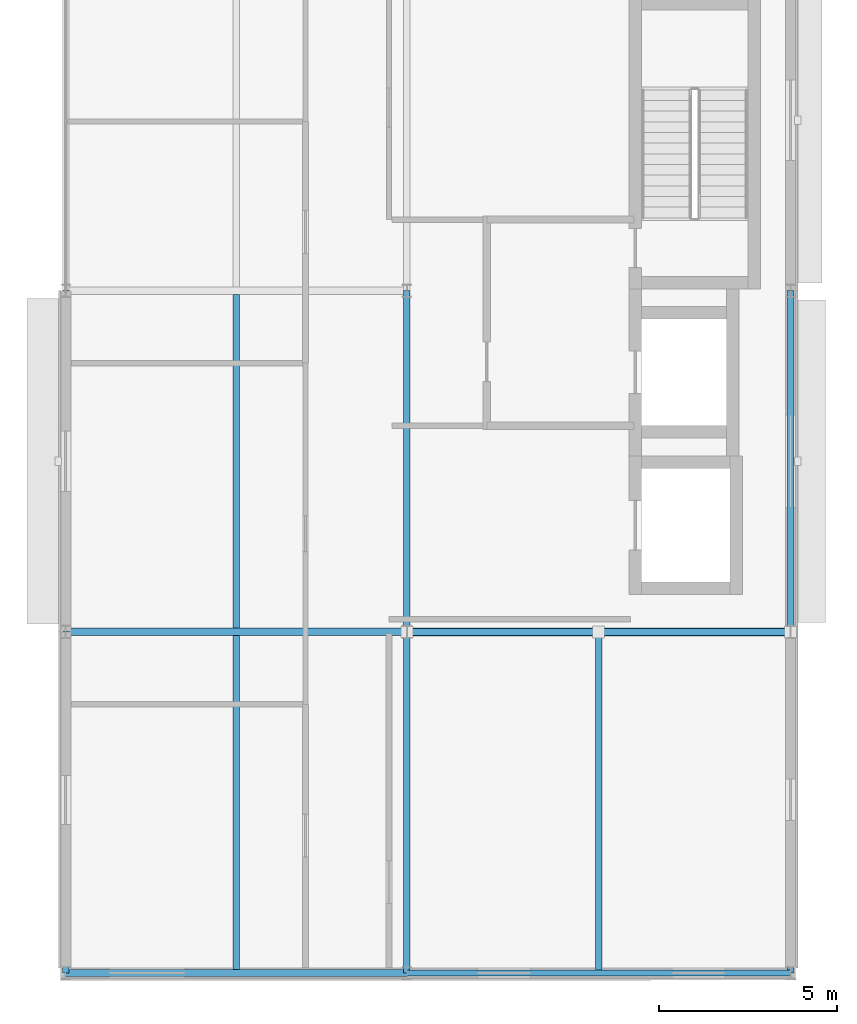
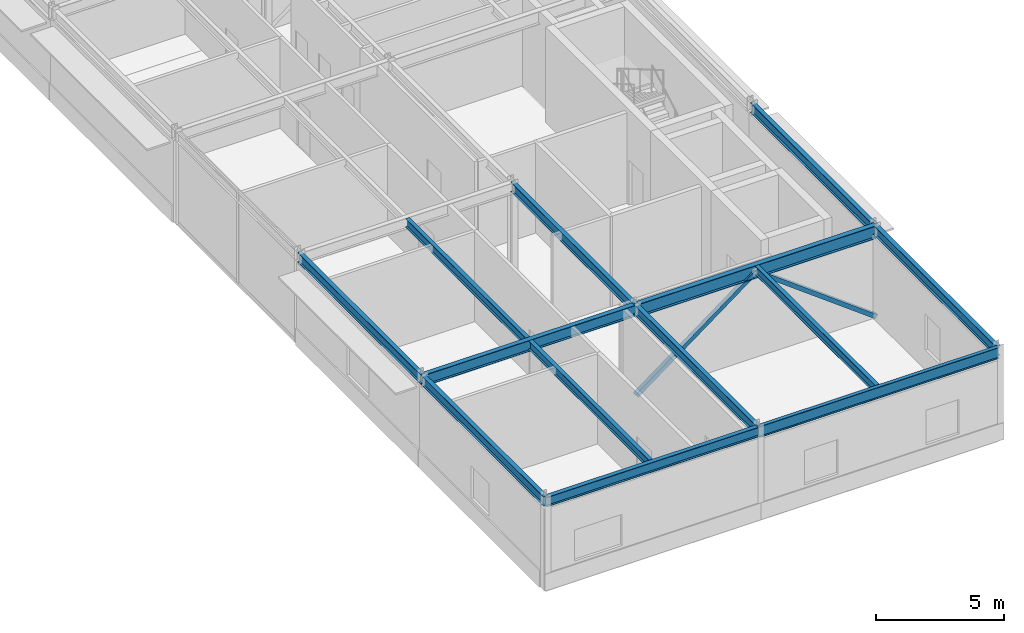
# One storey, part 3 of 17: 13 beams, 2 members.
"""IFC4 building model written with IfcOpenShell, lengths in metres."""

from ifc_helpers import new_model, si_unit, direction, frame, origin, origin_2d, place, context, subcontext, project, spatial, hollow_rectangle, i_section, extrude, material, material_profile, profile_set, type_object, element, save


model = new_model("IFC4")

# Units and contexts
model_context = context("Model", 3, precision=1e-05, world=origin(), true_north=direction((0.0, 1.0)))
body_context = subcontext(model_context, "Body", "Model", "MODEL_VIEW")
ifc_project = project(units=[si_unit("LENGTHUNIT", "METRE"), si_unit("AREAUNIT", "SQUARE_METRE"), si_unit("VOLUMEUNIT", "CUBIC_METRE"), si_unit("PLANEANGLEUNIT", "RADIAN"), si_unit("MASSUNIT", "GRAM", prefix="KILO")], contexts=[model_context])

# Site, building, storey
site_placement = place(None, origin())
site = spatial("IfcSite", under=ifc_project, at=site_placement, CompositionType="ELEMENT")
building_placement = place(site_placement, origin())
building = spatial("IfcBuilding", under=site, at=building_placement, Name="Almandine Court Research Institute", CompositionType="ELEMENT")
storey_placement = place(building_placement, frame((0.0, 0.0, 32.550048828125)))
storey = spatial("IfcBuildingStorey", under=building, at=storey_placement, Name="L07", CompositionType="ELEMENT", Elevation=32.550048828125)

# Beams
ifc_material_1 = material(Name="Steel ASTM A992 Grade 50", Category="steel")
ifc_material_profile_1 = material_profile(ifc_material_1, i_section(OverallWidth=0.18994140625, OverallDepth=0.45703125, WebThickness=0.009033203125, FlangeThickness=0.014892578125, at=origin_2d()), Name="W460x74")
ifc_profile_set_1 = profile_set([ifc_material_profile_1], Name="Steel ASTM A992 Grade 50")
beam_type_1 = type_object("IfcBeamType", Name="Beam-B-01", PredefinedType="BEAM", material=ifc_profile_set_1)
for number, where, z_axis, x_axis, name in (
    (1, (153.60009765625, 6.0, 4.156982421875), (0.0, 1.0, 0.0), (-1.0, 0.0, 0.0), "L07 V4 Primary Y Girder"),
    (2, (163.199951171875, 6.0, 4.156982421875), (0.0, 1.0, 0.0), (-1.0, 0.0, 0.0), "L07 V4 Primary Y Girder"),
):
    element("IfcBeam", number, at=place(storey_placement, frame(where, z_axis=z_axis, x_axis=x_axis)), inside=storey, type_object=beam_type_1, Name=name, PredefinedType="BEAM", context=body_context, shape_type="SweptSolid", body=[
        extrude(i_section(OverallWidth=0.18994140625, OverallDepth=0.45703125, WebThickness=0.009033203125, FlangeThickness=0.014892578125, at=origin_2d()), origin(), (0.0, 0.0, 1.0), 9.60009765625),
    ])
for number, where, z_axis, x_axis, name in (
    (3, (153.60009765625, 15.60009765625, 4.156982421875), (0.0, 1.0, 0.0), (-1.0, 0.0, 0.0), "L07 V4 Primary Y Girder"),
    (4, (163.199951171875, 15.60009765625, 4.156982421875), (0.0, 1.0, 0.0), (-1.0, 0.0, 0.0), "L07 V4 Primary Y Girder"),
):
    element("IfcBeam", number, at=place(storey_placement, frame(where, z_axis=z_axis, x_axis=x_axis)), inside=storey, type_object=beam_type_1, Name=name, PredefinedType="BEAM", context=body_context, shape_type="SweptSolid", body=[
        extrude(i_section(OverallWidth=0.18994140625, OverallDepth=0.45703125, WebThickness=0.009033203125, FlangeThickness=0.014892578125, at=origin_2d()), origin(), (0.0, 0.0, 1.0), 9.599853515625),
    ])
ifc_material_profile_2 = material_profile(ifc_material_1, i_section(OverallWidth=0.178955078125, OverallDepth=0.409912109375, WebThickness=0.009033203125, FlangeThickness=0.013916015625, at=origin_2d()), Name="W410x67")
ifc_profile_set_2 = profile_set([ifc_material_profile_2], Name="Steel ASTM A992 Grade 50")
beam_type_2 = type_object("IfcBeamType", Name="Beam-B-02", PredefinedType="JOIST", material=ifc_profile_set_2)
beam_1_placement = place(storey_placement, frame((158.39990234375, 6.094970703125, 4.179931640625), z_axis=(0.0, 1.0, 0.0), x_axis=(-1.0, 0.0, 0.0)))
element("IfcBeam", 5, at=beam_1_placement, inside=storey, type_object=beam_type_2, Name="L07 V4 Composite Secondary Beam", PredefinedType="JOIST", context=body_context, shape_type="SweptSolid", body=[
    extrude(i_section(OverallWidth=0.178955078125, OverallDepth=0.409912109375, WebThickness=0.009033203125, FlangeThickness=0.013916015625, at=origin_2d()), origin(), (0.0, 0.0, 1.0), 9.401123046875),
])
beam_2_placement = place(storey_placement, frame((168.60009765625, 6.0810546875, 4.179931640625), z_axis=(0.0, 1.0, 0.0), x_axis=(-1.0, 0.0, 0.0)))
element("IfcBeam", 6, at=beam_2_placement, inside=storey, type_object=beam_type_2, Name="L07 V4 Composite Secondary Beam", PredefinedType="JOIST", context=body_context, shape_type="SweptSolid", body=[
    extrude(i_section(OverallWidth=0.178955078125, OverallDepth=0.409912109375, WebThickness=0.009033203125, FlangeThickness=0.013916015625, at=origin_2d()), origin(), (0.0, 0.0, 1.0), 9.406005859375),
])
beam_3_placement = place(storey_placement, frame((158.39990234375, 15.7041015625, 4.179931640625), z_axis=(0.0, 1.0, 0.0), x_axis=(-1.0, 0.0, 0.0)))
element("IfcBeam", 7, at=beam_3_placement, inside=storey, type_object=beam_type_2, Name="L07 V4 Composite Secondary Beam", PredefinedType="JOIST", context=body_context, shape_type="SweptSolid", body=[
    extrude(i_section(OverallWidth=0.178955078125, OverallDepth=0.409912109375, WebThickness=0.009033203125, FlangeThickness=0.013916015625, at=origin_2d()), origin(), (0.0, 0.0, 1.0), 9.391845703125),
])
ifc_material_profile_3 = material_profile(ifc_material_1, i_section(OverallWidth=0.22998046875, OverallDepth=0.616943359375, WebThickness=0.012939453125, FlangeThickness=0.02197265625, at=origin_2d()), Name="W610x140")
ifc_profile_set_3 = profile_set([ifc_material_profile_3], Name="Steel ASTM A992 Grade 50")
beam_type_3 = type_object("IfcBeamType", Name="Beam-G-02", PredefinedType="BEAM", material=ifc_profile_set_3)
beam_4_placement = place(storey_placement, frame((163.199951171875, 15.60009765625, 4.076904296875), z_axis=(1.0, 0.0, 0.0), x_axis=(0.0, 1.0, 0.0)))
element("IfcBeam", 8, at=beam_4_placement, inside=storey, type_object=beam_type_3, Name="L07 V4 Primary X Girder", PredefinedType="BEAM", context=body_context, shape_type="SweptSolid", body=[
    extrude(i_section(OverallWidth=0.22998046875, OverallDepth=0.616943359375, WebThickness=0.012939453125, FlangeThickness=0.02197265625, at=origin_2d()), origin(), (0.0, 0.0, 1.0), 10.800048828125),
])
ifc_material_profile_4 = material_profile(ifc_material_1, i_section(OverallWidth=0.2109375, OverallDepth=0.5390625, WebThickness=0.011962890625, FlangeThickness=0.01904296875, at=origin_2d()), Name="W530x109")
ifc_profile_set_4 = profile_set([ifc_material_profile_4], Name="Steel ASTM A992 Grade 50")
beam_type_4 = type_object("IfcBeamType", Name="Beam-G-04", PredefinedType="BEAM", material=ifc_profile_set_4)
beam_5_placement = place(storey_placement, frame((153.60009765625, 15.60009765625, 4.115966796875), z_axis=(1.0, 0.0, 0.0), x_axis=(0.0, 1.0, 0.0)))
element("IfcBeam", 9, at=beam_5_placement, inside=storey, type_object=beam_type_4, Name="L07 V4 Primary X Girder", PredefinedType="BEAM", context=body_context, shape_type="SweptSolid", body=[
    extrude(i_section(OverallWidth=0.2109375, OverallDepth=0.5390625, WebThickness=0.011962890625, FlangeThickness=0.01904296875, at=origin_2d()), origin(), (0.0, 0.0, 1.0), 9.599853515625),
])
ifc_material_profile_5 = material_profile(ifc_material_1, i_section(OverallWidth=0.166015625, OverallDepth=0.534912109375, WebThickness=0.010009765625, FlangeThickness=0.01708984375, at=origin_2d()), Name="W530x85")
ifc_profile_set_5 = profile_set([ifc_material_profile_5], Name="Steel ASTM A992 Grade 50")
beam_type_5 = type_object("IfcBeamType", Name="Beam-G-05-E", PredefinedType="SPANDREL", material=ifc_profile_set_5)
beam_6_placement = place(storey_placement, frame((163.199951171875, 6.0, 4.117919921875), z_axis=(1.0, 0.0, 0.0), x_axis=(0.0, 1.0, 0.0)))
element("IfcBeam", 10, at=beam_6_placement, inside=storey, type_object=beam_type_5, Name="L07 V4 Primary X Girder", PredefinedType="SPANDREL", context=body_context, shape_type="SweptSolid", body=[
    extrude(i_section(OverallWidth=0.166015625, OverallDepth=0.534912109375, WebThickness=0.010009765625, FlangeThickness=0.01708984375, at=origin_2d()), origin(), (0.0, 0.0, 1.0), 10.800048828125),
])
ifc_material_profile_6 = material_profile(ifc_material_1, i_section(OverallWidth=0.193115234375, OverallDepth=0.466064453125, WebThickness=0.010986328125, FlangeThickness=0.01904296875, at=origin_2d()), Name="W460x97")
ifc_profile_set_6 = profile_set([ifc_material_profile_6], Name="Steel ASTM A992 Grade 50")
beam_type_6 = type_object("IfcBeamType", Name="Beam-G-06-E", PredefinedType="SPANDREL", material=ifc_profile_set_6)
beam_7_placement = place(storey_placement, frame((153.60009765625, 6.0, 4.15185546875), z_axis=(1.0, 0.0, 0.0), x_axis=(0.0, 1.0, 0.0)))
element("IfcBeam", 11, at=beam_7_placement, inside=storey, type_object=beam_type_6, Name="L07 V4 Primary X Girder", PredefinedType="SPANDREL", context=body_context, shape_type="SweptSolid", body=[
    extrude(i_section(OverallWidth=0.193115234375, OverallDepth=0.466064453125, WebThickness=0.010986328125, FlangeThickness=0.01904296875, at=origin_2d()), origin(), (0.0, 0.0, 1.0), 9.599853515625),
])
beam_8_placement = place(storey_placement, frame((174.0, 6.0, 4.15185546875), z_axis=(0.0, 1.0, 0.0), x_axis=(-1.0, 0.0, 0.0)))
element("IfcBeam", 12, at=beam_8_placement, inside=storey, type_object=beam_type_6, Name="L07 V4 Primary Y Girder", PredefinedType="SPANDREL", context=body_context, shape_type="SweptSolid", body=[
    extrude(i_section(OverallWidth=0.193115234375, OverallDepth=0.466064453125, WebThickness=0.010986328125, FlangeThickness=0.01904296875, at=origin_2d()), origin(), (0.0, 0.0, 1.0), 9.60009765625),
])
beam_9_placement = place(storey_placement, frame((174.0, 15.60009765625, 4.15185546875), z_axis=(0.0, 1.0, 0.0), x_axis=(-1.0, 0.0, 0.0)))
element("IfcBeam", 13, at=beam_9_placement, inside=storey, type_object=beam_type_6, Name="L07 V4 Primary Y Girder", PredefinedType="SPANDREL", context=body_context, shape_type="SweptSolid", body=[
    extrude(i_section(OverallWidth=0.193115234375, OverallDepth=0.466064453125, WebThickness=0.010986328125, FlangeThickness=0.01904296875, at=origin_2d()), origin(), (0.0, 0.0, 1.0), 9.599853515625),
])

# Members
ifc_material_2 = material(Name="Steel ASTM A500 Grade C", Category="steel")
ifc_material_profile_7 = material_profile(ifc_material_2, hollow_rectangle(XDim=0.199951171875, YDim=0.199951171875, WallThickness=0.008056640625, at=origin_2d()), Name="HSS 200x200x8")
ifc_profile_set_7 = profile_set([ifc_material_profile_7], Name="Steel ASTM A500 Grade C")
member_type = type_object("IfcMemberType", Name="Mem-BF-BR2", PredefinedType="BRACE", material=ifc_profile_set_7)
for number, where, z_axis, x_axis, name in (
    (14, (163.199951171875, 15.60009765625, 0.02001953125), (0.801428188232, 0.0, 0.598091012394), (0.0, 1.0, 0.0), "L07 Seismic Chevron Brace V4-BF1 Left"),
    (15, (174.0, 15.60009765625, 0.02001953125), (-0.801415226812, 0.0, 0.598108380007), (0.0, -1.0, 0.0), "L07 Seismic Chevron Brace V4-BF1 Right"),
):
    element("IfcMember", number, at=place(storey_placement, frame(where, z_axis=z_axis, x_axis=x_axis)), inside=storey, type_object=member_type, Name=name, PredefinedType="BRACE", context=body_context, shape_type="SweptSolid", body=[
        extrude(hollow_rectangle(XDim=0.199951171875, YDim=0.199951171875, WallThickness=0.008056640625, at=origin_2d()), origin(), (0.0, 0.0, 1.0), 6.738037109375),
    ])

save(model, "model.ifc")
